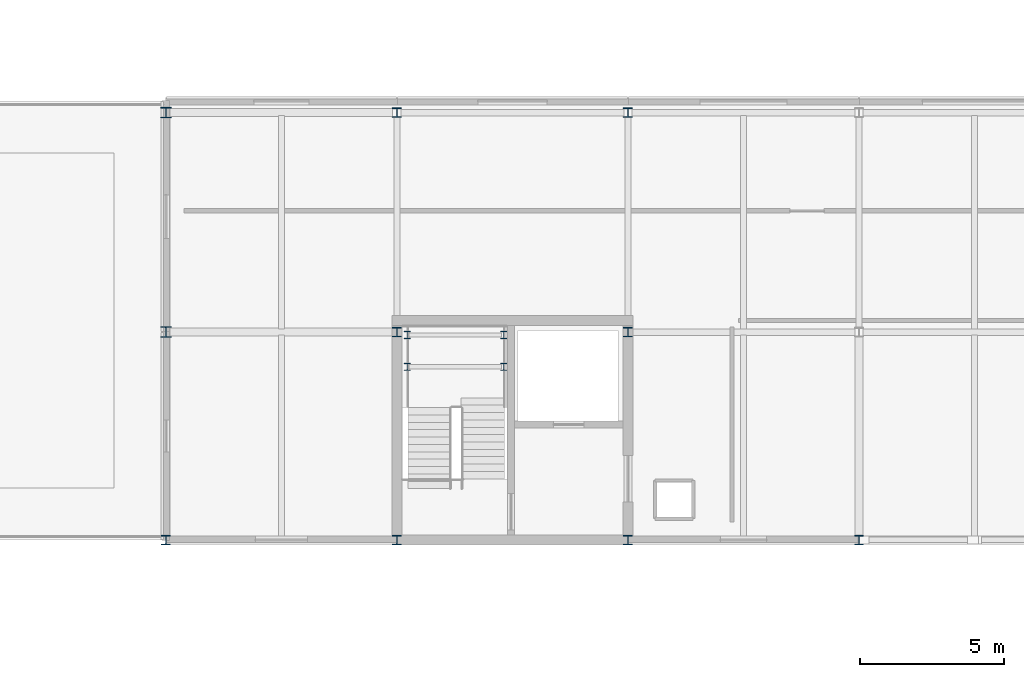
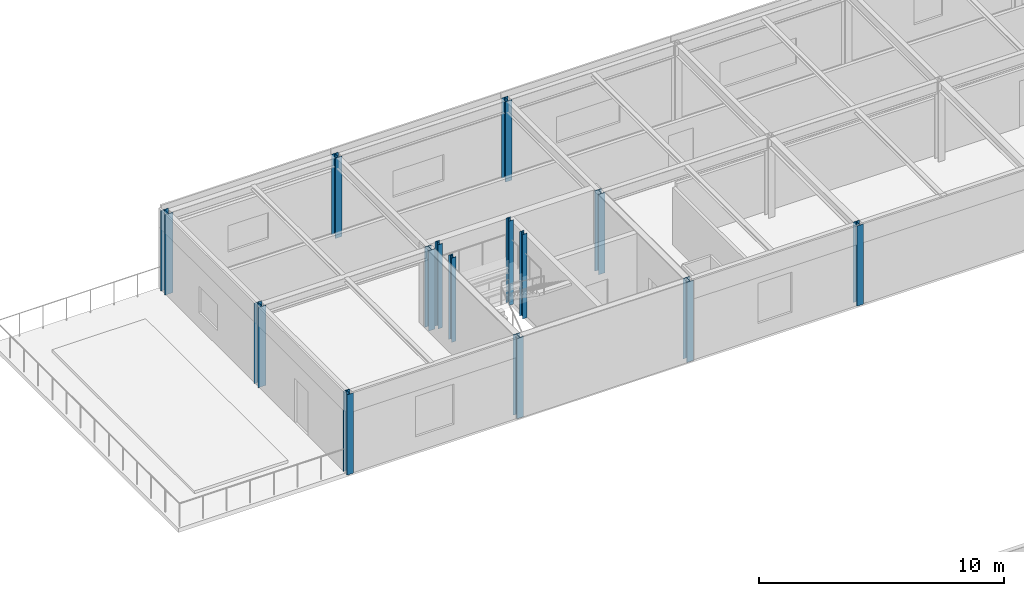
# One storey, part 5 of 85: 14 columns.
"""IFC4 building model written with IfcOpenShell, lengths in metres."""

from ifc_helpers import new_model, si_unit, direction, frame, origin, origin_2d, place, context, subcontext, project, spatial, i_section, extrude, material, material_profile, profile_set, type_object, element, save


model = new_model("IFC4")

# Units and contexts
model_context = context("Model", 3, precision=1e-05, world=origin(), true_north=direction((0.0, 1.0)))
body_context = subcontext(model_context, "Body", "Model", "MODEL_VIEW")
ifc_project = project(units=[si_unit("LENGTHUNIT", "METRE"), si_unit("AREAUNIT", "SQUARE_METRE"), si_unit("VOLUMEUNIT", "CUBIC_METRE"), si_unit("PLANEANGLEUNIT", "RADIAN"), si_unit("MASSUNIT", "GRAM", prefix="KILO")], contexts=[model_context])

# Site, building, storey
site_placement = place(None, origin())
site = spatial("IfcSite", under=ifc_project, at=site_placement, CompositionType="ELEMENT")
building_placement = place(site_placement, origin())
building = spatial("IfcBuilding", under=site, at=building_placement, Name="Zulena Civic Courthouse", CompositionType="ELEMENT")
storey_placement = place(building_placement, frame((0.0, 0.0, 25.199951171875)))
storey = spatial("IfcBuildingStorey", under=building, at=storey_placement, Name="L05", CompositionType="ELEMENT", Elevation=25.199951171875)

# Columns
ifc_material = material(Name="Steel ASTM A992 Grade 50", Category="steel")
ifc_material_profile_1 = material_profile(ifc_material, i_section(OverallWidth=0.2041015625, OverallDepth=0.257080078125, WebThickness=0.0087890625, FlangeThickness=0.015625, FilletRadius=0.0126953125, at=origin_2d()), Name="W10X45")
ifc_profile_set_1 = profile_set([ifc_material_profile_1], Name="Steel ASTM A992 Grade 50")
column_type_1 = type_object("IfcColumnType", Name="Col_W10X45", PredefinedType="COLUMN", material=ifc_profile_set_1)
for number, where, z_axis, x_axis, name in (
    (1, (20.360107421875, 52.0, 0.0), (0.0, 0.0, 1.0), (1.0, 0.0, 0.0), "col:lnd:K5A:L05:0:0"),
    (2, (23.699951171875, 52.0, 0.0), (0.0, 0.0, 1.0), (1.0, 0.0, 0.0), "col:lnd:K5A:L05:0:1"),
    (3, (20.360107421875, 53.10009765625, 0.0), (0.0, 0.0, 1.0), (1.0, 0.0, 0.0), "col:lnd:K5A:L05:1:0"),
    (4, (23.699951171875, 53.10009765625, 0.0), (0.0, 0.0, 1.0), (1.0, 0.0, 0.0), "col:lnd:K5A:L05:1:1"),
):
    element("IfcColumn", number, at=place(storey_placement, frame(where, z_axis=z_axis, x_axis=x_axis)), inside=storey, type_object=column_type_1, Name=name, PredefinedType="COLUMN", context=body_context, shape_type="SweptSolid", body=[
        extrude(i_section(OverallWidth=0.2041015625, OverallDepth=0.257080078125, WebThickness=0.0087890625, FlangeThickness=0.015625, FilletRadius=0.0126953125, at=origin_2d()), origin(), (0.0, 0.0, 1.0), 4.195068359375),
    ])
ifc_material_profile_2 = material_profile(ifc_material, i_section(OverallWidth=0.30908203125, OverallDepth=0.322998046875, WebThickness=0.013916015625, FlangeThickness=0.02294921875, FilletRadius=0.01513671875, at=origin_2d()), Name="W12X96")
ifc_profile_set_2 = profile_set([ifc_material_profile_2], Name="Steel ASTM A992 Grade 50")
column_type_2 = type_object("IfcColumnType", Name="Col_W12X96", PredefinedType="COLUMN", material=ifc_profile_set_2)
for number, where, z_axis, x_axis, name in (
    (5, (12.0, 46.0, 0.0), (0.0, 0.0, 1.0), (1.0, 0.0, 0.0), "col:V5:L05:12.0:46.0"),
    (6, (20.0, 46.0, 0.0), (0.0, 0.0, 1.0), (1.0, 0.0, 0.0), "col:V5:L05:20.0:46.0"),
    (7, (20.0, 53.199951171875, 0.0), (0.0, 0.0, 1.0), (1.0, 0.0, 0.0), "col:V5:L05:20.0:53.2"),
    (8, (20.0, 60.800048828125, 0.0), (0.0, 0.0, 1.0), (1.0, 0.0, 0.0), "col:V5:L05:20.0:60.8"),
    (9, (28.0, 46.0, 0.0), (0.0, 0.0, 1.0), (1.0, 0.0, 0.0), "col:V5:L05:28.0:46.0"),
    (10, (28.0, 53.199951171875, 0.0), (0.0, 0.0, 1.0), (1.0, 0.0, 0.0), "col:V5:L05:28.0:53.2"),
    (11, (28.0, 60.800048828125, 0.0), (0.0, 0.0, 1.0), (1.0, 0.0, 0.0), "col:V5:L05:28.0:60.8"),
    (12, (36.0, 46.0, 0.0), (0.0, 0.0, 1.0), (1.0, 0.0, 0.0), "col:V5:L05:36.0:46.0"),
):
    element("IfcColumn", number, at=place(storey_placement, frame(where, z_axis=z_axis, x_axis=x_axis)), inside=storey, type_object=column_type_2, Name=name, PredefinedType="COLUMN", context=body_context, shape_type="SweptSolid", body=[
        extrude(i_section(OverallWidth=0.30908203125, OverallDepth=0.322998046875, WebThickness=0.013916015625, FlangeThickness=0.02294921875, FilletRadius=0.01513671875, at=origin_2d()), origin(), (0.0, 0.0, 1.0), 3.9951171875),
    ])
ifc_material_profile_3 = material_profile(ifc_material, i_section(OverallWidth=0.3701171875, OverallDepth=0.360107421875, WebThickness=0.01220703125, FlangeThickness=0.019775390625, FilletRadius=0.01513671875, at=origin_2d()), Name="W14X99")
ifc_profile_set_3 = profile_set([ifc_material_profile_3], Name="Steel ASTM A992 Grade 50")
column_type_3 = type_object("IfcColumnType", Name="Col_W14X99", PredefinedType="COLUMN", material=ifc_profile_set_3)
for number, where, z_axis, x_axis, name in (
    (13, (12.0, 53.199951171875, 0.0), (0.0, 0.0, 1.0), (1.0, 0.0, 0.0), "col:V5:L05:12.0:53.2"),
    (14, (12.0, 60.800048828125, 0.0), (0.0, 0.0, 1.0), (1.0, 0.0, 0.0), "col:V5:L05:12.0:60.8"),
):
    element("IfcColumn", number, at=place(storey_placement, frame(where, z_axis=z_axis, x_axis=x_axis)), inside=storey, type_object=column_type_3, Name=name, PredefinedType="COLUMN", context=body_context, shape_type="SweptSolid", body=[
        extrude(i_section(OverallWidth=0.3701171875, OverallDepth=0.360107421875, WebThickness=0.01220703125, FlangeThickness=0.019775390625, FilletRadius=0.01513671875, at=origin_2d()), origin(), (0.0, 0.0, 1.0), 3.9951171875),
    ])

save(model, "model.ifc")
